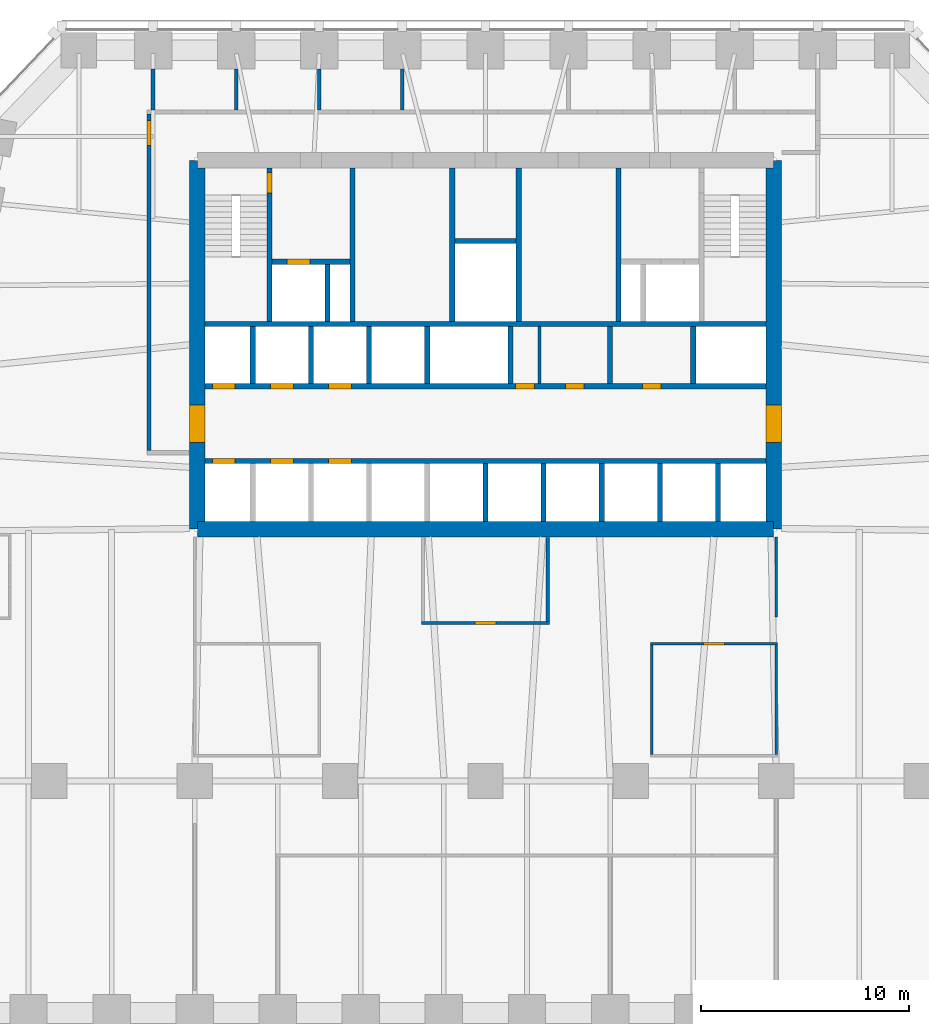
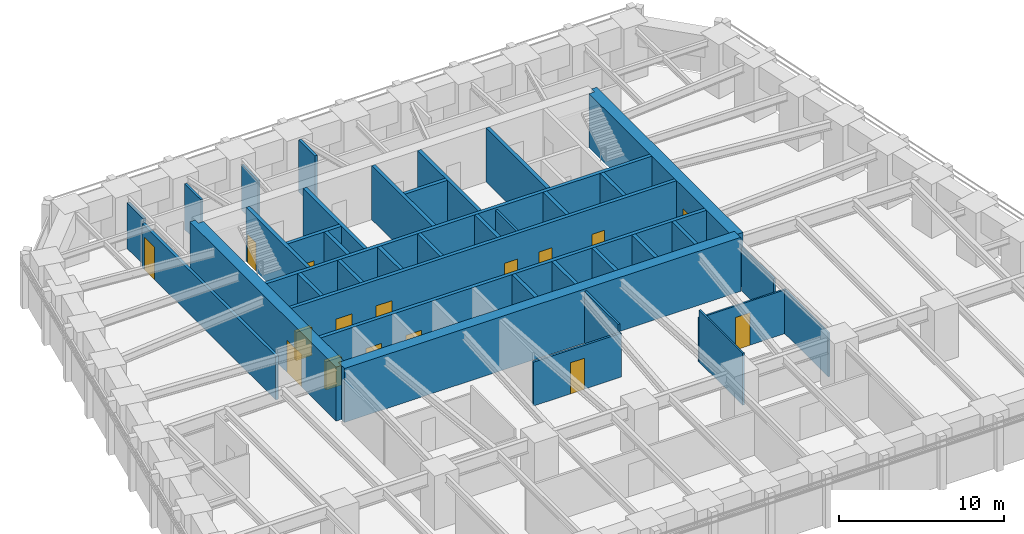
# One storey, part 6 of 9: 38 walls, 16 doors, 16 openings.
"""IFC4 building model written with IfcOpenShell, lengths in metres."""

from ifc_helpers import new_model, si_unit, direction, frame, frame_2d, origin, place, context, subcontext, project, spatial, polyline, rectangle, outline, extrude, material, layer, layer_set, type_object, element, fill, save


model = new_model("IFC4")

# Units and contexts
model_context = context("Model", 3, precision=1e-05, world=origin(), true_north=direction((0.0, 1.0)))
body_context = subcontext(model_context, "Body", "Model", "MODEL_VIEW")
ifc_project = project(units=[si_unit("LENGTHUNIT", "METRE"), si_unit("AREAUNIT", "SQUARE_METRE"), si_unit("VOLUMEUNIT", "CUBIC_METRE"), si_unit("PLANEANGLEUNIT", "RADIAN"), si_unit("MASSUNIT", "GRAM", prefix="KILO")], contexts=[model_context])

# Site, building, storey
site_placement = place(None, origin())
site = spatial("IfcSite", under=ifc_project, at=site_placement, CompositionType="ELEMENT")
building_placement = place(site_placement, origin())
building = spatial("IfcBuilding", under=site, at=building_placement, Name="Isbrekke Arena Tower", CompositionType="ELEMENT")
storey_placement = place(building_placement, frame((0.0, 0.0, 127.0)))
storey = spatial("IfcBuildingStorey", under=building, at=storey_placement, Name="L28", CompositionType="ELEMENT", Elevation=127.0)

# Wall
ifc_material_1 = material(Name="Concrete B55 (C55/67)", Category="concrete")
ifc_layer_1 = layer(ifc_material_1, 0.75)
ifc_layer_set_1 = layer_set([ifc_layer_1], Name="CW3 CORE WALL 750")
wall_type_1 = type_object("IfcWallType", Name="CW3 CORE WALL 750", PredefinedType="SHEAR", material=ifc_layer_set_1)
wall_1_placement = place(storey_placement, frame((-13.875, 6.125, 0.0), z_axis=(0.0, 0.0, 1.0), x_axis=(1.0, 0.0, 0.0)))
element("IfcWall", 1, at=wall_1_placement, inside=storey, type_object=wall_type_1, Name="Core wall S L28", PredefinedType="SHEAR", context=body_context, shape_type="SweptSolid", body=[
    extrude(rectangle(XDim=27.75, YDim=0.75, at=frame_2d((13.875, 0.0))), origin(), (0.0, 0.0, 1.0), 4.0),
])

# Wall, opening, door
wall_2_placement = place(storey_placement, frame((13.875, 6.125, 0.0), z_axis=(0.0, 0.0, 1.0), x_axis=(0.0, 1.0, 0.0)))
wall_2 = element("IfcWall", 2, at=wall_2_placement, inside=storey, type_object=wall_type_1, Name="Core wall E L28", PredefinedType="SHEAR", context=body_context, shape_type="SweptSolid", body=[
    extrude(outline(polyline([(0.0, -0.375), (17.75, -0.375), (17.75, 0.0), (17.375, 0.0), (17.375, 0.375), (0.375, 0.375), (0.375, 0.0), (0.0, 0.0), (0.0, -0.375)])), origin(), (0.0, 0.0, 1.0), 4.0),
])
opening_1_placement = place(wall_2_placement, frame((4.175048828125, 0.0, 0.0)))
opening_1 = element("IfcOpeningElement", 3, at=opening_1_placement, cuts=wall_2, Name="Opening D1", PredefinedType="OPENING", context=body_context, shape_type="SweptSolid", body=[
    extrude(rectangle(XDim=1.800048828125, YDim=2.39990234375, at=frame_2d((0.89990234375, 1.199951171875))), frame((0.0, 0.389892578125, 0.0), z_axis=(0.0, -1.0, 0.0), x_axis=(1.0, 0.0, 0.0)), (0.0, 0.0, 1.0), 0.77978515625),
])
ifc_material_2 = material(Name="Steel-framed glazed fire door", Category="steel")
door_type_1 = type_object("IfcDoorType", Name="D1 CORE LOBBY DOOR 1800 x 2400", OperationType="DOUBLE_DOOR_SINGLE_SWING", PredefinedType="DOOR", material=ifc_material_2)
door_1_placement = place(opening_1_placement, origin())
door_1 = element("IfcDoor", 4, at=door_1_placement, inside=storey, type_object=door_type_1, Name="D1 lift lobby door east L28", OperationType="DOUBLE_DOOR_SINGLE_SWING", OverallHeight=2.39990234375, OverallWidth=1.800048828125, PredefinedType="DOOR", context=body_context, shape_type="SweptSolid", body=[
    extrude(rectangle(XDim=1.800048828125, YDim=2.39990234375, at=frame_2d((0.89990234375, 1.199951171875))), frame((0.0, 0.374755859375, 0.0), z_axis=(0.0, -1.0, 0.0), x_axis=(1.0, 0.0, 0.0)), (0.0, 0.0, 1.0), 0.74951171875),
])
fill(opening_1, door_1)

wall_3_placement = place(storey_placement, frame((-13.875, 23.875, 0.0), z_axis=(0.0, 0.0, 1.0), x_axis=(0.0, -1.0, 0.0)))
wall_3 = element("IfcWall", 5, at=wall_3_placement, inside=storey, type_object=wall_type_1, Name="Core wall W L28", PredefinedType="SHEAR", context=body_context, shape_type="SweptSolid", body=[
    extrude(outline(polyline([(0.0, -0.375), (17.75, -0.375), (17.75, 0.0), (17.375, 0.0), (17.375, 0.375), (0.375, 0.375), (0.375, 0.0), (0.0, 0.0), (0.0, -0.375)])), origin(), (0.0, 0.0, 1.0), 4.0),
])
opening_2_placement = place(wall_3_placement, frame((11.77490234375, 0.0, 0.0)))
opening_2 = element("IfcOpeningElement", 6, at=opening_2_placement, cuts=wall_3, Name="Opening D1", PredefinedType="OPENING", context=body_context, shape_type="SweptSolid", body=[
    extrude(rectangle(XDim=1.800048828125, YDim=2.39990234375, at=frame_2d((0.89990234375, 1.199951171875))), frame((0.0, 0.389892578125, 0.0), z_axis=(0.0, -1.0, 0.0), x_axis=(1.0, 0.0, 0.0)), (0.0, 0.0, 1.0), 0.77978515625),
])
door_2_placement = place(opening_2_placement, origin())
door_2 = element("IfcDoor", 7, at=door_2_placement, inside=storey, type_object=door_type_1, Name="D1 lift lobby door west L28", OperationType="DOUBLE_DOOR_SINGLE_SWING", OverallHeight=2.39990234375, OverallWidth=1.800048828125, PredefinedType="DOOR", context=body_context, shape_type="SweptSolid", body=[
    extrude(rectangle(XDim=1.800048828125, YDim=2.39990234375, at=frame_2d((0.89990234375, 1.199951171875))), frame((0.0, 0.374755859375, 0.0), z_axis=(0.0, -1.0, 0.0), x_axis=(1.0, 0.0, 0.0)), (0.0, 0.0, 1.0), 0.74951171875),
])
fill(opening_2, door_2)

# Wall, openings, doors
ifc_material_3 = material(Name="Concrete B45 (C45/55)", Category="concrete")
ifc_layer_2 = layer(ifc_material_3, 0.25)
ifc_layer_set_2 = layer_set([ifc_layer_2], Name="CW6 SHAFT WALL 250")
wall_type_2 = type_object("IfcWallType", Name="CW6 SHAFT WALL 250", PredefinedType="SHEAR", material=ifc_layer_set_2)
wall_4_placement = place(storey_placement, frame((-13.5, 9.39990234375, 0.0), z_axis=(0.0, 0.0, 1.0), x_axis=(1.0, 0.0, 0.0)))
wall_4 = element("IfcWall", 8, at=wall_4_placement, inside=storey, type_object=wall_type_2, Name="Core wall LS L28", PredefinedType="SHEAR", context=body_context, shape_type="SweptSolid", body=[
    extrude(rectangle(XDim=27.0, YDim=0.25, at=frame_2d((13.5, 0.0))), origin(), (0.0, 0.0, 1.0), 4.0),
])
opening_3_placement = place(wall_4_placement, frame((0.35009765625, 0.0, 0.0)))
opening_3 = element("IfcOpeningElement", 9, at=opening_3_placement, cuts=wall_4, Name="Opening LD1", PredefinedType="OPENING", context=body_context, shape_type="SweptSolid", body=[
    extrude(rectangle(XDim=1.10009765625, YDim=2.10009765625, at=frame_2d((0.550048828125, 1.050048828125))), frame((0.0, 0.139892578125, 0.0), z_axis=(0.0, -1.0, 0.0), x_axis=(1.0, 0.0, 0.0)), (0.0, 0.0, 1.0), 0.27978515625),
])
opening_4_placement = place(wall_4_placement, frame((3.14990234375, 0.0, 0.0)))
opening_4 = element("IfcOpeningElement", 10, at=opening_4_placement, cuts=wall_4, Name="Opening LD1", PredefinedType="OPENING", context=body_context, shape_type="SweptSolid", body=[
    extrude(rectangle(XDim=1.10009765625, YDim=2.10009765625, at=frame_2d((0.550048828125, 1.050048828125))), frame((0.0, 0.139892578125, 0.0), z_axis=(0.0, -1.0, 0.0), x_axis=(1.0, 0.0, 0.0)), (0.0, 0.0, 1.0), 0.27978515625),
])
opening_5_placement = place(wall_4_placement, frame((5.949951171875, 0.0, 0.0)))
opening_5 = element("IfcOpeningElement", 11, at=opening_5_placement, cuts=wall_4, Name="Opening LD1", PredefinedType="OPENING", context=body_context, shape_type="SweptSolid", body=[
    extrude(rectangle(XDim=1.10009765625, YDim=2.10009765625, at=frame_2d((0.550048828125, 1.050048828125))), frame((0.0, 0.139892578125, 0.0), z_axis=(0.0, -1.0, 0.0), x_axis=(1.0, 0.0, 0.0)), (0.0, 0.0, 1.0), 0.27978515625),
])
ifc_material_4 = material(Name="Stainless steel lift landing door", Category="steel")
door_type_2 = type_object("IfcDoorType", Name="LD1 LIFT LANDING DOOR 1100 x 2100", OperationType="SLIDING_TO_LEFT", PredefinedType="DOOR", material=ifc_material_4)
door_3_placement = place(opening_3_placement, origin())
door_3 = element("IfcDoor", 12, at=door_3_placement, inside=storey, type_object=door_type_2, Name="LD1 lift landing door LB L28", OperationType="SLIDING_TO_LEFT", OverallHeight=2.10009765625, OverallWidth=1.10009765625, PredefinedType="DOOR", context=body_context, shape_type="SweptSolid", body=[
    extrude(rectangle(XDim=1.10009765625, YDim=2.10009765625, at=frame_2d((0.550048828125, 1.050048828125))), frame((0.0, 0.124755859375, 0.0), z_axis=(0.0, -1.0, 0.0), x_axis=(1.0, 0.0, 0.0)), (0.0, 0.0, 1.0), 0.24951171875),
])
fill(opening_3, door_3)
door_4_placement = place(opening_4_placement, origin())
door_4 = element("IfcDoor", 13, at=door_4_placement, inside=storey, type_object=door_type_2, Name="LD1 lift landing door LB L28", OperationType="SLIDING_TO_LEFT", OverallHeight=2.10009765625, OverallWidth=1.10009765625, PredefinedType="DOOR", context=body_context, shape_type="SweptSolid", body=[
    extrude(rectangle(XDim=1.10009765625, YDim=2.10009765625, at=frame_2d((0.550048828125, 1.050048828125))), frame((0.0, 0.124755859375, 0.0), z_axis=(0.0, -1.0, 0.0), x_axis=(1.0, 0.0, 0.0)), (0.0, 0.0, 1.0), 0.24951171875),
])
fill(opening_4, door_4)
door_5_placement = place(opening_5_placement, origin())
door_5 = element("IfcDoor", 14, at=door_5_placement, inside=storey, type_object=door_type_2, Name="LD1 lift landing door LB L28", OperationType="SLIDING_TO_LEFT", OverallHeight=2.10009765625, OverallWidth=1.10009765625, PredefinedType="DOOR", context=body_context, shape_type="SweptSolid", body=[
    extrude(rectangle(XDim=1.10009765625, YDim=2.10009765625, at=frame_2d((0.550048828125, 1.050048828125))), frame((0.0, 0.124755859375, 0.0), z_axis=(0.0, -1.0, 0.0), x_axis=(1.0, 0.0, 0.0)), (0.0, 0.0, 1.0), 0.24951171875),
])
fill(opening_5, door_5)

wall_5_placement = place(storey_placement, frame((-13.5, 13.0, 0.0), z_axis=(0.0, 0.0, 1.0), x_axis=(1.0, 0.0, 0.0)))
wall_5 = element("IfcWall", 15, at=wall_5_placement, inside=storey, type_object=wall_type_2, Name="Core wall LN L28", PredefinedType="SHEAR", context=body_context, shape_type="SweptSolid", body=[
    extrude(rectangle(XDim=27.0, YDim=0.25, at=frame_2d((13.5, 0.0))), origin(), (0.0, 0.0, 1.0), 4.0),
])
opening_6_placement = place(wall_5_placement, frame((0.35009765625, 0.0, 0.0)))
opening_6 = element("IfcOpeningElement", 16, at=opening_6_placement, cuts=wall_5, Name="Opening LD1", PredefinedType="OPENING", context=body_context, shape_type="SweptSolid", body=[
    extrude(rectangle(XDim=1.10009765625, YDim=2.10009765625, at=frame_2d((0.550048828125, 1.050048828125))), frame((0.0, 0.139892578125, 0.0), z_axis=(0.0, -1.0, 0.0), x_axis=(1.0, 0.0, 0.0)), (0.0, 0.0, 1.0), 0.27978515625),
])
opening_7_placement = place(wall_5_placement, frame((3.14990234375, 0.0, 0.0)))
opening_7 = element("IfcOpeningElement", 17, at=opening_7_placement, cuts=wall_5, Name="Opening LD1", PredefinedType="OPENING", context=body_context, shape_type="SweptSolid", body=[
    extrude(rectangle(XDim=1.10009765625, YDim=2.10009765625, at=frame_2d((0.550048828125, 1.050048828125))), frame((0.0, 0.139892578125, 0.0), z_axis=(0.0, -1.0, 0.0), x_axis=(1.0, 0.0, 0.0)), (0.0, 0.0, 1.0), 0.27978515625),
])
opening_8_placement = place(wall_5_placement, frame((5.949951171875, 0.0, 0.0)))
opening_8 = element("IfcOpeningElement", 18, at=opening_8_placement, cuts=wall_5, Name="Opening LD1", PredefinedType="OPENING", context=body_context, shape_type="SweptSolid", body=[
    extrude(rectangle(XDim=1.10009765625, YDim=2.10009765625, at=frame_2d((0.550048828125, 1.050048828125))), frame((0.0, 0.139892578125, 0.0), z_axis=(0.0, -1.0, 0.0), x_axis=(1.0, 0.0, 0.0)), (0.0, 0.0, 1.0), 0.27978515625),
])
opening_9_placement = place(wall_5_placement, frame((14.949951171875, 0.0, 0.0)))
opening_9 = element("IfcOpeningElement", 19, at=opening_9_placement, cuts=wall_5, Name="Opening D5", PredefinedType="OPENING", context=body_context, shape_type="SweptSolid", body=[
    extrude(rectangle(XDim=0.89990234375, YDim=2.10009765625, at=frame_2d((0.449951171875, 1.050048828125))), frame((0.0, 0.139892578125, 0.0), z_axis=(0.0, -1.0, 0.0), x_axis=(1.0, 0.0, 0.0)), (0.0, 0.0, 1.0), 0.27978515625),
])
opening_10_placement = place(wall_5_placement, frame((17.35009765625, 0.0, 0.0)))
opening_10 = element("IfcOpeningElement", 20, at=opening_10_placement, cuts=wall_5, Name="Opening D5", PredefinedType="OPENING", context=body_context, shape_type="SweptSolid", body=[
    extrude(rectangle(XDim=0.89990234375, YDim=2.10009765625, at=frame_2d((0.449951171875, 1.050048828125))), frame((0.0, 0.139892578125, 0.0), z_axis=(0.0, -1.0, 0.0), x_axis=(1.0, 0.0, 0.0)), (0.0, 0.0, 1.0), 0.27978515625),
])
opening_11_placement = place(wall_5_placement, frame((21.050048828125, 0.0, 0.0)))
opening_11 = element("IfcOpeningElement", 21, at=opening_11_placement, cuts=wall_5, Name="Opening D5", PredefinedType="OPENING", context=body_context, shape_type="SweptSolid", body=[
    extrude(rectangle(XDim=0.89990234375, YDim=2.10009765625, at=frame_2d((0.449951171875, 1.050048828125))), frame((0.0, 0.139892578125, 0.0), z_axis=(0.0, -1.0, 0.0), x_axis=(1.0, 0.0, 0.0)), (0.0, 0.0, 1.0), 0.27978515625),
])
ifc_material_5 = material(Name="Steel fire door", Category="steel")
door_type_3 = type_object("IfcDoorType", Name="D5 SERVICE DOOR 900 x 2100", OperationType="SINGLE_SWING_LEFT", PredefinedType="DOOR", material=ifc_material_5)
door_6_placement = place(opening_9_placement, origin())
door_6 = element("IfcDoor", 22, at=door_6_placement, inside=storey, type_object=door_type_3, Name="D5 communications room door L28", OperationType="SINGLE_SWING_LEFT", OverallHeight=2.10009765625, OverallWidth=0.89990234375, PredefinedType="DOOR", context=body_context, shape_type="SweptSolid", body=[
    extrude(rectangle(XDim=0.89990234375, YDim=2.10009765625, at=frame_2d((0.449951171875, 1.050048828125))), frame((0.0, 0.124755859375, 0.0), z_axis=(0.0, -1.0, 0.0), x_axis=(1.0, 0.0, 0.0)), (0.0, 0.0, 1.0), 0.24951171875),
])
fill(opening_9, door_6)
door_7_placement = place(opening_10_placement, origin())
door_7 = element("IfcDoor", 23, at=door_7_placement, inside=storey, type_object=door_type_3, Name="D5 meeting room door L28", OperationType="SINGLE_SWING_LEFT", OverallHeight=2.10009765625, OverallWidth=0.89990234375, PredefinedType="DOOR", context=body_context, shape_type="SweptSolid", body=[
    extrude(rectangle(XDim=0.89990234375, YDim=2.10009765625, at=frame_2d((0.449951171875, 1.050048828125))), frame((0.0, 0.124755859375, 0.0), z_axis=(0.0, -1.0, 0.0), x_axis=(1.0, 0.0, 0.0)), (0.0, 0.0, 1.0), 0.24951171875),
])
fill(opening_10, door_7)
door_8_placement = place(opening_11_placement, origin())
door_8 = element("IfcDoor", 24, at=door_8_placement, inside=storey, type_object=door_type_3, Name="D5 cleaner's store door L28", OperationType="SINGLE_SWING_LEFT", OverallHeight=2.10009765625, OverallWidth=0.89990234375, PredefinedType="DOOR", context=body_context, shape_type="SweptSolid", body=[
    extrude(rectangle(XDim=0.89990234375, YDim=2.10009765625, at=frame_2d((0.449951171875, 1.050048828125))), frame((0.0, 0.124755859375, 0.0), z_axis=(0.0, -1.0, 0.0), x_axis=(1.0, 0.0, 0.0)), (0.0, 0.0, 1.0), 0.24951171875),
])
fill(opening_11, door_8)
door_9_placement = place(opening_6_placement, origin())
door_9 = element("IfcDoor", 25, at=door_9_placement, inside=storey, type_object=door_type_2, Name="LD1 lift landing door LB L28", OperationType="SLIDING_TO_LEFT", OverallHeight=2.10009765625, OverallWidth=1.10009765625, PredefinedType="DOOR", context=body_context, shape_type="SweptSolid", body=[
    extrude(rectangle(XDim=1.10009765625, YDim=2.10009765625, at=frame_2d((0.550048828125, 1.050048828125))), frame((0.0, 0.124755859375, 0.0), z_axis=(0.0, -1.0, 0.0), x_axis=(1.0, 0.0, 0.0)), (0.0, 0.0, 1.0), 0.24951171875),
])
fill(opening_6, door_9)
door_10_placement = place(opening_7_placement, origin())
door_10 = element("IfcDoor", 26, at=door_10_placement, inside=storey, type_object=door_type_2, Name="LD1 lift landing door LB L28", OperationType="SLIDING_TO_LEFT", OverallHeight=2.10009765625, OverallWidth=1.10009765625, PredefinedType="DOOR", context=body_context, shape_type="SweptSolid", body=[
    extrude(rectangle(XDim=1.10009765625, YDim=2.10009765625, at=frame_2d((0.550048828125, 1.050048828125))), frame((0.0, 0.124755859375, 0.0), z_axis=(0.0, -1.0, 0.0), x_axis=(1.0, 0.0, 0.0)), (0.0, 0.0, 1.0), 0.24951171875),
])
fill(opening_7, door_10)
door_11_placement = place(opening_8_placement, origin())
door_11 = element("IfcDoor", 27, at=door_11_placement, inside=storey, type_object=door_type_2, Name="LD1 lift landing door LB L28", OperationType="SLIDING_TO_LEFT", OverallHeight=2.10009765625, OverallWidth=1.10009765625, PredefinedType="DOOR", context=body_context, shape_type="SweptSolid", body=[
    extrude(rectangle(XDim=1.10009765625, YDim=2.10009765625, at=frame_2d((0.550048828125, 1.050048828125))), frame((0.0, 0.124755859375, 0.0), z_axis=(0.0, -1.0, 0.0), x_axis=(1.0, 0.0, 0.0)), (0.0, 0.0, 1.0), 0.24951171875),
])
fill(opening_8, door_11)

# Walls
wall_6_placement = place(storey_placement, frame((-13.5, 16.0, 0.0), z_axis=(0.0, 0.0, 1.0), x_axis=(1.0, 0.0, 0.0)))
element("IfcWall", 28, at=wall_6_placement, inside=storey, type_object=wall_type_2, Name="Core wall NB L28", PredefinedType="SHEAR", context=body_context, shape_type="SweptSolid", body=[
    extrude(rectangle(XDim=27.0, YDim=0.25, at=frame_2d((13.5, 0.0))), origin(), (0.0, 0.0, 1.0), 4.0),
])
for number, where, z_axis, x_axis, name in (
    (29, (0.0, 6.5, 0.0), (0.0, 0.0, 1.0), (0.0, 1.0, 0.0), "Core wall SS05 L28"),
    (30, (2.800048828125, 6.5, 0.0), (0.0, 0.0, 1.0), (0.0, 1.0, 0.0), "Core wall SS06 L28"),
    (31, (5.60009765625, 6.5, 0.0), (0.0, 0.0, 1.0), (0.0, 1.0, 0.0), "Core wall SS07 L28"),
    (32, (8.39990234375, 6.5, 0.0), (0.0, 0.0, 1.0), (0.0, 1.0, 0.0), "Core wall SS08 L28"),
    (33, (11.199951171875, 6.5, 0.0), (0.0, 0.0, 1.0), (0.0, 1.0, 0.0), "Core wall SS09 L28"),
):
    element("IfcWall", number, at=place(storey_placement, frame(where, z_axis=z_axis, x_axis=x_axis)), inside=storey, type_object=wall_type_2, Name=name, PredefinedType="SHEAR", context=body_context, shape_type="SweptSolid", body=[
        extrude(rectangle(XDim=2.77490234375, YDim=0.25, at=frame_2d((1.387451171875, 0.0))), origin(), (0.0, 0.0, 1.0), 4.0),
    ])
for number, where, z_axis, x_axis, name in (
    (34, (-11.199951171875, 13.125, 0.0), (0.0, 0.0, 1.0), (0.0, 1.0, 0.0), "Core wall SN01 L28"),
    (35, (-8.39990234375, 13.125, 0.0), (0.0, 0.0, 1.0), (0.0, 1.0, 0.0), "Core wall SN02 L28"),
    (36, (-5.60009765625, 13.125, 0.0), (0.0, 0.0, 1.0), (0.0, 1.0, 0.0), "Core wall SN03 L28"),
    (37, (-2.800048828125, 13.125, 0.0), (0.0, 0.0, 1.0), (0.0, 1.0, 0.0), "Core wall SN04 L28"),
    (38, (1.199951171875, 13.125, 0.0), (0.0, 0.0, 1.0), (0.0, 1.0, 0.0), "Core wall SN05 L28"),
    (39, (6.0, 13.125, 0.0), (0.0, 0.0, 1.0), (0.0, 1.0, 0.0), "Core wall SN06 L28"),
    (40, (10.0, 13.125, 0.0), (0.0, 0.0, 1.0), (0.0, 1.0, 0.0), "Core wall SN07 L28"),
):
    element("IfcWall", number, at=place(storey_placement, frame(where, z_axis=z_axis, x_axis=x_axis)), inside=storey, type_object=wall_type_2, Name=name, PredefinedType="SHEAR", context=body_context, shape_type="SweptSolid", body=[
        extrude(rectangle(XDim=2.75, YDim=0.25, at=frame_2d((1.375, 0.0))), origin(), (0.0, 0.0, 1.0), 4.0),
    ])

# Wall, opening, door
wall_7_placement = place(storey_placement, frame((-10.39990234375, 16.125, 0.0), z_axis=(0.0, 0.0, 1.0), x_axis=(0.0, 1.0, 0.0)))
wall_7 = element("IfcWall", 41, at=wall_7_placement, inside=storey, type_object=wall_type_2, Name="Core wall NV01 L28", PredefinedType="SHEAR", context=body_context, shape_type="SweptSolid", body=[
    extrude(rectangle(XDim=7.375, YDim=0.25, at=frame_2d((3.6875, 0.0))), origin(), (0.0, 0.0, 1.0), 4.0),
])
opening_12_placement = place(wall_7_placement, frame((6.175048828125, 0.0, 0.0)))
opening_12 = element("IfcOpeningElement", 42, at=opening_12_placement, cuts=wall_7, Name="Opening D2", PredefinedType="OPENING", context=body_context, shape_type="SweptSolid", body=[
    extrude(rectangle(XDim=1.0, YDim=2.10009765625, at=frame_2d((0.5, 1.050048828125))), frame((0.0, 0.139892578125, 0.0), z_axis=(0.0, -1.0, 0.0), x_axis=(1.0, 0.0, 0.0)), (0.0, 0.0, 1.0), 0.27978515625),
])
ifc_material_6 = material(Name="Steel fire door", Category="steel")
door_type_4 = type_object("IfcDoorType", Name="D2 STAIR DOOR 1000 x 2100", OperationType="SINGLE_SWING_LEFT", PredefinedType="DOOR", material=ifc_material_6)
door_12_placement = place(opening_12_placement, origin())
door_12 = element("IfcDoor", 43, at=door_12_placement, inside=storey, type_object=door_type_4, Name="D2 stair door ST1 L28", OperationType="SINGLE_SWING_LEFT", OverallHeight=2.10009765625, OverallWidth=1.0, PredefinedType="DOOR", context=body_context, shape_type="SweptSolid", body=[
    extrude(rectangle(XDim=1.0, YDim=2.10009765625, at=frame_2d((0.5, 1.050048828125))), frame((0.0, 0.124755859375, 0.0), z_axis=(0.0, -1.0, 0.0), x_axis=(1.0, 0.0, 0.0)), (0.0, 0.0, 1.0), 0.24951171875),
])
fill(opening_12, door_12)

# Walls
for number, where, z_axis, x_axis, name in (
    (44, (-6.39990234375, 16.125, 0.0), (0.0, 0.0, 1.0), (0.0, 1.0, 0.0), "Core wall NV02 L28"),
    (45, (-1.60009765625, 16.125, 0.0), (0.0, 0.0, 1.0), (0.0, 1.0, 0.0), "Core wall NV03 L28"),
    (46, (1.60009765625, 16.125, 0.0), (0.0, 0.0, 1.0), (0.0, 1.0, 0.0), "Core wall NV04 L28"),
    (47, (6.39990234375, 16.125, 0.0), (0.0, 0.0, 1.0), (0.0, 1.0, 0.0), "Core wall NV05 L28"),
):
    element("IfcWall", number, at=place(storey_placement, frame(where, z_axis=z_axis, x_axis=x_axis)), inside=storey, type_object=wall_type_2, Name=name, PredefinedType="SHEAR", context=body_context, shape_type="SweptSolid", body=[
        extrude(rectangle(XDim=7.375, YDim=0.25, at=frame_2d((3.6875, 0.0))), origin(), (0.0, 0.0, 1.0), 4.0),
    ])

# Wall, opening, door
wall_8_placement = place(storey_placement, frame((-10.27490234375, 19.0, 0.0), z_axis=(0.0, 0.0, 1.0), x_axis=(1.0, 0.0, 0.0)))
wall_8 = element("IfcWall", 48, at=wall_8_placement, inside=storey, type_object=wall_type_2, Name="Core wall NFW L28", PredefinedType="SHEAR", context=body_context, shape_type="SweptSolid", body=[
    extrude(rectangle(XDim=3.75, YDim=0.25, at=frame_2d((1.875, 0.0))), origin(), (0.0, 0.0, 1.0), 4.0),
])
opening_13_placement = place(wall_8_placement, frame((0.72509765625, 0.0, 0.0)))
opening_13 = element("IfcOpeningElement", 49, at=opening_13_placement, cuts=wall_8, Name="Opening LD2", PredefinedType="OPENING", context=body_context, shape_type="SweptSolid", body=[
    extrude(rectangle(XDim=1.10009765625, YDim=2.10009765625, at=frame_2d((0.550048828125, 1.050048828125))), frame((0.0, 0.139892578125, 0.0), z_axis=(0.0, -1.0, 0.0), x_axis=(1.0, 0.0, 0.0)), (0.0, 0.0, 1.0), 0.27978515625),
])
ifc_material_7 = material(Name="Stainless steel lift landing door", Category="steel")
door_type_5 = type_object("IfcDoorType", Name="LD2 FIRE-FIGHTING LIFT LANDING DOOR 1100 x 2100", OperationType="SLIDING_TO_RIGHT", PredefinedType="DOOR", material=ifc_material_7)
door_13_placement = place(opening_13_placement, origin())
door_13 = element("IfcDoor", 50, at=door_13_placement, inside=storey, type_object=door_type_5, Name="LD2 lift landing door LF L28", OperationType="SLIDING_TO_RIGHT", OverallHeight=2.10009765625, OverallWidth=1.10009765625, PredefinedType="DOOR", context=body_context, shape_type="SweptSolid", body=[
    extrude(rectangle(XDim=1.10009765625, YDim=2.10009765625, at=frame_2d((0.550048828125, 1.050048828125))), frame((0.0, 0.124755859375, 0.0), z_axis=(0.0, -1.0, 0.0), x_axis=(1.0, 0.0, 0.0)), (0.0, 0.0, 1.0), 0.24951171875),
])
fill(opening_13, door_13)

# Walls
wall_9_placement = place(storey_placement, frame((-7.60009765625, 16.125, 0.0), z_axis=(0.0, 0.0, 1.0), x_axis=(0.0, 1.0, 0.0)))
element("IfcWall", 51, at=wall_9_placement, inside=storey, type_object=wall_type_2, Name="Core wall NFS1 L28", PredefinedType="SHEAR", context=body_context, shape_type="SweptSolid", body=[
    extrude(rectangle(XDim=2.75, YDim=0.25, at=frame_2d((1.375, 0.0))), origin(), (0.0, 0.0, 1.0), 4.0),
])
wall_10_placement = place(storey_placement, frame((-1.47509765625, 20.0, 0.0), z_axis=(0.0, 0.0, 1.0), x_axis=(1.0, 0.0, 0.0)))
element("IfcWall", 52, at=wall_10_placement, inside=storey, type_object=wall_type_2, Name="Core wall NWC L28", PredefinedType="SHEAR", context=body_context, shape_type="SweptSolid", body=[
    extrude(rectangle(XDim=2.9501953125, YDim=0.25, at=frame_2d((1.47509765625, 0.0))), origin(), (0.0, 0.0, 1.0), 4.0),
])

# Wall, opening, door
ifc_material_8 = material(Name="Gypsum board partition on steel studs", Category="steel")
ifc_layer_3 = layer(ifc_material_8, 0.14990234375)
ifc_layer_set_3 = layer_set([ifc_layer_3], Name="IW1 PARTITION 150")
wall_type_3 = type_object("IfcWallType", Name="IW1 PARTITION 150", PredefinedType="PARTITIONING", material=ifc_layer_set_3)
wall_11_placement = place(storey_placement, frame((-3.074951171875, 1.60009765625, 0.0), z_axis=(0.0, 0.0, 1.0), x_axis=(1.0, 0.0, 0.0)))
wall_11 = element("IfcWall", 53, at=wall_11_placement, inside=storey, type_object=wall_type_3, Name="IW1 partition 150 L28", PredefinedType="PARTITIONING", context=body_context, shape_type="SweptSolid", body=[
    extrude(rectangle(XDim=6.14990234375, YDim=0.14990234375, at=frame_2d((3.074951171875, 0.0))), origin(), (0.0, 0.0, 1.0), 3.25),
])
opening_14_placement = place(wall_11_placement, frame((2.574951171875, 0.0, 0.0)))
opening_14 = element("IfcOpeningElement", 54, at=opening_14_placement, cuts=wall_11, Name="Opening D10", PredefinedType="OPENING", context=body_context, shape_type="SweptSolid", body=[
    extrude(rectangle(XDim=1.0, YDim=2.300048828125, at=frame_2d((0.5, 1.14990234375))), frame((0.0, 0.08984375, 0.0), z_axis=(0.0, -1.0, 0.0), x_axis=(1.0, 0.0, 0.0)), (0.0, 0.0, 1.0), 0.1796875),
])
ifc_material_9 = material(Name="Timber door", Category="wood")
door_type_6 = type_object("IfcDoorType", Name="D10 OFFICE DOOR 1000 x 2300", OperationType="SINGLE_SWING_LEFT", PredefinedType="DOOR", material=ifc_material_9)
door_14_placement = place(opening_14_placement, origin())
door_14 = element("IfcDoor", 55, at=door_14_placement, inside=storey, type_object=door_type_6, Name="D10 print room door L28", OperationType="SINGLE_SWING_LEFT", OverallHeight=2.300048828125, OverallWidth=1.0, PredefinedType="DOOR", context=body_context, shape_type="SweptSolid", body=[
    extrude(rectangle(XDim=1.0, YDim=2.300048828125, at=frame_2d((0.5, 1.14990234375))), frame((0.0, 0.07470703125, 0.0), z_axis=(0.0, -1.0, 0.0), x_axis=(1.0, 0.0, 0.0)), (0.0, 0.0, 1.0), 0.1494140625),
])
fill(opening_14, door_14)

# Walls
for number, where, z_axis, x_axis, name in (
    (56, (-12.0, 26.300048828125, 0.0), (0.0, 0.0, 1.0), (0.0, 1.0, 0.0), "IW1 partition 150 L28"),
    (57, (-8.0, 26.300048828125, 0.0), (0.0, 0.0, 1.0), (0.0, 1.0, 0.0), "IW1 partition 150 L28"),
):
    element("IfcWall", number, at=place(storey_placement, frame(where, z_axis=z_axis, x_axis=x_axis)), inside=storey, type_object=wall_type_3, Name=name, PredefinedType="PARTITIONING", context=body_context, shape_type="SweptSolid", body=[
        extrude(rectangle(XDim=1.974853515625, YDim=0.14990234375, at=frame_2d((0.9873046875, 0.0))), origin(), (0.0, 0.0, 1.0), 3.39990234375),
    ])
wall_12_placement = place(storey_placement, frame((3.0, 1.675048828125, 0.0), z_axis=(0.0, 0.0, 1.0), x_axis=(0.0, 1.0, 0.0)))
element("IfcWall", 58, at=wall_12_placement, inside=storey, type_object=wall_type_3, Name="IW1 partition 150 L28", PredefinedType="PARTITIONING", context=body_context, shape_type="SweptSolid", body=[
    extrude(rectangle(XDim=4.044921875, YDim=0.14990234375, at=frame_2d((2.0224609375, 0.0))), origin(), (0.0, 0.0, 1.0), 3.85009765625),
])

# Wall, opening, door
ifc_material_10 = material(Name="Frameless glazed partition, laminated acoustic glass", Category="glass")
ifc_layer_4 = layer(ifc_material_10, 0.1201171875)
ifc_layer_set_4 = layer_set([ifc_layer_4], Name="IW2 GLAZED PARTITION 120")
wall_type_4 = type_object("IfcWallType", Name="IW2 GLAZED PARTITION 120", PredefinedType="PARTITIONING", material=ifc_layer_set_4)
wall_13_placement = place(storey_placement, frame((7.93994140625, 0.60009765625, 0.0), z_axis=(0.0, 0.0, 1.0), x_axis=(1.0, 0.0, 0.0)))
wall_13 = element("IfcWall", 59, at=wall_13_placement, inside=storey, type_object=wall_type_4, Name="IW2 glazed partition 120 L28", PredefinedType="PARTITIONING", context=body_context, shape_type="SweptSolid", body=[
    extrude(rectangle(XDim=6.1201171875, YDim=0.1201171875, at=frame_2d((3.06005859375, 0.0))), origin(), (0.0, 0.0, 1.0), 3.25),
])
opening_15_placement = place(wall_13_placement, frame((2.56005859375, 0.0, 0.0)))
opening_15 = element("IfcOpeningElement", 60, at=opening_15_placement, cuts=wall_13, Name="Opening D11", PredefinedType="OPENING", context=body_context, shape_type="SweptSolid", body=[
    extrude(rectangle(XDim=1.0, YDim=2.39990234375, at=frame_2d((0.5, 1.199951171875))), frame((0.0, 0.074951171875, 0.0), z_axis=(0.0, -1.0, 0.0), x_axis=(1.0, 0.0, 0.0)), (0.0, 0.0, 1.0), 0.14990234375),
])
ifc_material_11 = material(Name="Frameless glazed door", Category="glass")
door_type_7 = type_object("IfcDoorType", Name="D11 GLAZED MEETING ROOM DOOR 1000 x 2400", OperationType="SINGLE_SWING_RIGHT", PredefinedType="DOOR", material=ifc_material_11)
door_15_placement = place(opening_15_placement, origin())
door_15 = element("IfcDoor", 61, at=door_15_placement, inside=storey, type_object=door_type_7, Name="D11 meeting room door L28", OperationType="SINGLE_SWING_RIGHT", OverallHeight=2.39990234375, OverallWidth=1.0, PredefinedType="DOOR", context=body_context, shape_type="SweptSolid", body=[
    extrude(rectangle(XDim=1.0, YDim=2.39990234375, at=frame_2d((0.5, 1.199951171875))), frame((0.0, 0.059814453125, 0.0), z_axis=(0.0, -1.0, 0.0), x_axis=(1.0, 0.0, 0.0)), (0.0, 0.0, 1.0), 0.11962890625),
])
fill(opening_15, door_15)

# Walls
wall_14_placement = place(storey_placement, frame((8.0, -4.739990234375, 0.0), z_axis=(0.0, 0.0, 1.0), x_axis=(0.0, 1.0, 0.0)))
element("IfcWall", 62, at=wall_14_placement, inside=storey, type_object=wall_type_4, Name="IW2 glazed partition 120 L28", PredefinedType="PARTITIONING", context=body_context, shape_type="SweptSolid", body=[
    extrude(rectangle(XDim=5.280029296875, YDim=0.1201171875, at=frame_2d((2.64013671875, 0.0))), origin(), (0.0, 0.0, 1.0), 3.85009765625),
])
wall_15_placement = place(storey_placement, frame((14.0, -4.739990234375, 0.0), z_axis=(0.0, 0.0, 1.0), x_axis=(0.0, 1.0, 0.0)))
element("IfcWall", 63, at=wall_15_placement, inside=storey, type_object=wall_type_4, Name="IW2 glazed partition 120 L28", PredefinedType="PARTITIONING", context=body_context, shape_type="SweptSolid", body=[
    extrude(rectangle(XDim=5.280029296875, YDim=0.1201171875, at=frame_2d((2.64013671875, 0.0))), origin(), (0.0, 0.0, 1.0), 3.25),
])
wall_16_placement = place(storey_placement, frame((14.0, 1.8798828125, 0.0), z_axis=(0.0, 0.0, 1.0), x_axis=(0.0, 1.0, 0.0)))
element("IfcWall", 64, at=wall_16_placement, inside=storey, type_object=wall_type_4, Name="IW2 glazed partition 120 L28", PredefinedType="PARTITIONING", context=body_context, shape_type="SweptSolid", body=[
    extrude(rectangle(XDim=3.8701171875, YDim=0.1201171875, at=frame_2d((1.93505859375, 0.0))), origin(), (0.0, 0.0, 1.0), 3.25),
])

# Wall, opening, door
ifc_material_12 = material(Name="Gypsum board fire-cell wall on steel studs, two layers each side", Category="steel")
ifc_layer_5 = layer(ifc_material_12, 0.199951171875)
ifc_layer_set_5 = layer_set([ifc_layer_5], Name="IW3 FIRE-CELL WALL 200")
wall_type_5 = type_object("IfcWallType", Name="IW3 FIRE-CELL WALL 200", PredefinedType="PARTITIONING", material=ifc_layer_set_5)
wall_17_placement = place(storey_placement, frame((-16.199951171875, 9.89990234375, 0.0), z_axis=(0.0, 0.0, 1.0), x_axis=(0.0, 1.0, 0.0)))
wall_17 = element("IfcWall", 65, at=wall_17_placement, inside=storey, type_object=wall_type_5, Name="IW3 fire-cell wall 200 L28", PredefinedType="PARTITIONING", context=body_context, shape_type="SweptSolid", body=[
    extrude(rectangle(XDim=16.2001953125, YDim=0.199951171875, at=frame_2d((8.10009765625, 0.0))), origin(), (0.0, 0.0, 1.0), 3.25),
])
opening_16_placement = place(wall_17_placement, frame((14.699951171875, 0.0, 0.0)))
opening_16 = element("IfcOpeningElement", 66, at=opening_16_placement, cuts=wall_17, Name="Opening D12", PredefinedType="OPENING", context=body_context, shape_type="SweptSolid", body=[
    extrude(rectangle(XDim=1.199951171875, YDim=2.39990234375, at=frame_2d((0.60009765625, 1.199951171875))), frame((0.0, 0.11474609375, 0.0), z_axis=(0.0, -1.0, 0.0), x_axis=(1.0, 0.0, 0.0)), (0.0, 0.0, 1.0), 0.229736328125),
])
ifc_material_13 = material(Name="Timber fire door with vision panel", Category="wood")
door_type_8 = type_object("IfcDoorType", Name="D12 SUITE ENTRANCE DOOR 1200 x 2400", OperationType="SINGLE_SWING_LEFT", PredefinedType="DOOR", material=ifc_material_13)
door_16_placement = place(opening_16_placement, origin())
door_16 = element("IfcDoor", 67, at=door_16_placement, inside=storey, type_object=door_type_8, Name="D12 suite entrance A door L28", OperationType="SINGLE_SWING_LEFT", OverallHeight=2.39990234375, OverallWidth=1.199951171875, PredefinedType="DOOR", context=body_context, shape_type="SweptSolid", body=[
    extrude(rectangle(XDim=1.199951171875, YDim=2.39990234375, at=frame_2d((0.60009765625, 1.199951171875))), frame((0.0, 0.099609375, 0.0), z_axis=(0.0, -1.0, 0.0), x_axis=(1.0, 0.0, 0.0)), (0.0, 0.0, 1.0), 0.199462890625),
])
fill(opening_16, door_16)

# Walls
wall_18_placement = place(storey_placement, frame((-16.0, 26.300048828125, 0.0), z_axis=(0.0, 0.0, 1.0), x_axis=(0.0, 1.0, 0.0)))
element("IfcWall", 68, at=wall_18_placement, inside=storey, type_object=wall_type_5, Name="IW3 fire-cell wall 200 L28", PredefinedType="PARTITIONING", context=body_context, shape_type="SweptSolid", body=[
    extrude(rectangle(XDim=1.974853515625, YDim=0.199951171875, at=frame_2d((0.9873046875, 0.0))), origin(), (0.0, 0.0, 1.0), 3.39990234375),
])
ifc_material_14 = material(Name="Gypsum board acoustic partition on twin steel studs", Category="steel")
ifc_layer_6 = layer(ifc_material_14, 0.175048828125)
ifc_layer_set_6 = layer_set([ifc_layer_6], Name="IW4 ACOUSTIC PARTITION 175")
wall_type_6 = type_object("IfcWallType", Name="IW4 ACOUSTIC PARTITION 175", PredefinedType="PARTITIONING", material=ifc_layer_set_6)
wall_19_placement = place(storey_placement, frame((-4.0, 26.300048828125, 0.0), z_axis=(0.0, 0.0, 1.0), x_axis=(0.0, 1.0, 0.0)))
element("IfcWall", 69, at=wall_19_placement, inside=storey, type_object=wall_type_6, Name="IW4 acoustic partition 175 L28", PredefinedType="PARTITIONING", context=body_context, shape_type="SweptSolid", body=[
    extrude(rectangle(XDim=1.974853515625, YDim=0.175048828125, at=frame_2d((0.9873046875, 0.0))), origin(), (0.0, 0.0, 1.0), 3.85009765625),
])
ifc_material_15 = material(Name="Gypsum board fire-rated partition on steel studs, two layers each side", Category="steel")
ifc_layer_7 = layer(ifc_material_15, 0.14990234375)
ifc_layer_set_7 = layer_set([ifc_layer_7], Name="IW5 FIRE-RATED PARTITION 150")
wall_type_7 = type_object("IfcWallType", Name="IW5 FIRE-RATED PARTITION 150", PredefinedType="PARTITIONING", material=ifc_layer_set_7)
wall_20_placement = place(storey_placement, frame((2.60009765625, 13.125, 0.0), z_axis=(0.0, 0.0, 1.0), x_axis=(0.0, 1.0, 0.0)))
element("IfcWall", 70, at=wall_20_placement, inside=storey, type_object=wall_type_7, Name="IW5 fire-rated partition L28 core service rooms 1", PredefinedType="PARTITIONING", context=body_context, shape_type="SweptSolid", body=[
    extrude(rectangle(XDim=2.75, YDim=0.14990234375, at=frame_2d((1.375, 0.0))), origin(), (0.0, 0.0, 1.0), 3.85009765625),
])

save(model, "model.ifc")
